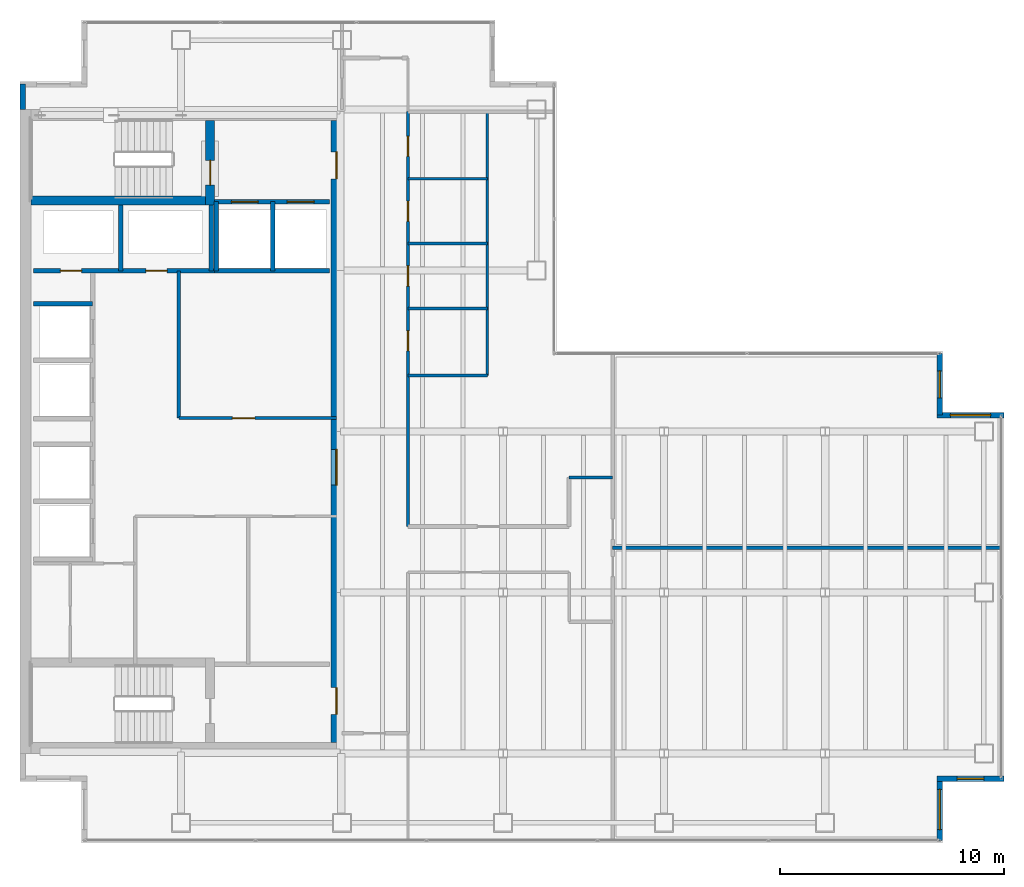
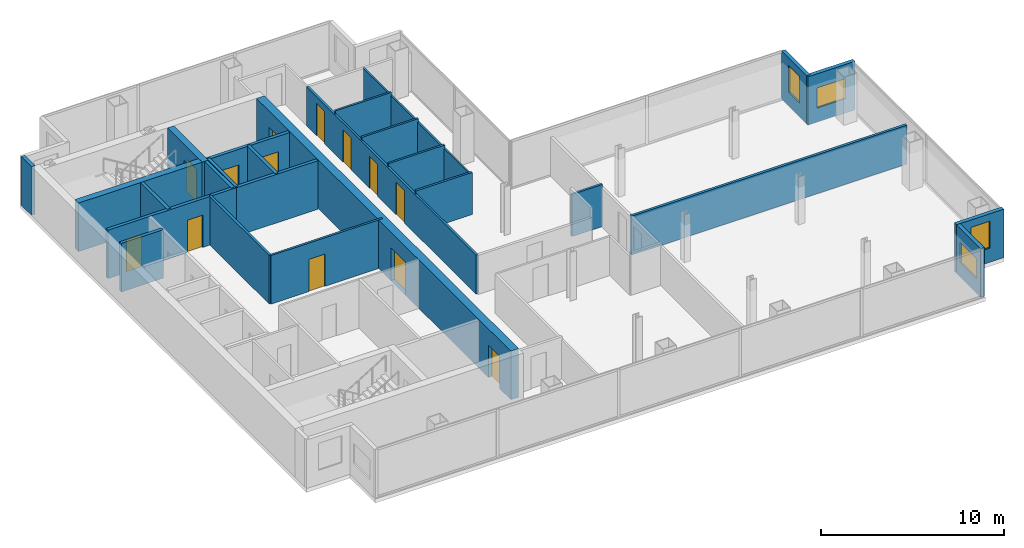
# One storey, part 21 of 23: 26 walls, 13 doors, 4 windows, 17 openings.
"""IFC4 building model written with IfcOpenShell, lengths in metres."""

from ifc_helpers import new_model, si_unit, direction, frame, frame_2d, origin, place, context, subcontext, project, spatial, rectangle, extrude, material, layer, layer_set, type_object, element, fill, save


model = new_model("IFC4")

# Units and contexts
model_context = context("Model", 3, precision=1e-05, world=origin(), true_north=direction((0.0, 1.0)))
body_context = subcontext(model_context, "Body", "Model", "MODEL_VIEW")
ifc_project = project(units=[si_unit("LENGTHUNIT", "METRE"), si_unit("AREAUNIT", "SQUARE_METRE"), si_unit("VOLUMEUNIT", "CUBIC_METRE"), si_unit("PLANEANGLEUNIT", "RADIAN"), si_unit("MASSUNIT", "GRAM", prefix="KILO")], contexts=[model_context])

# Site, building, storey
site_placement = place(None, origin())
site = spatial("IfcSite", under=ifc_project, at=site_placement, CompositionType="ELEMENT")
building_placement = place(site_placement, origin())
building = spatial("IfcBuilding", under=site, at=building_placement, Name="Cobrela Telecom Tower", CompositionType="ELEMENT")
storey_placement = place(building_placement, frame((0.0, 0.0, 176.75)))
storey = spatial("IfcBuildingStorey", under=building, at=storey_placement, Name="L44", CompositionType="ELEMENT", Elevation=176.75)

# Wall, openings, doors
ifc_material_1 = material(Name="Concrete C40/50", Category="concrete")
ifc_layer_1 = layer(ifc_material_1, 0.5)
ifc_layer_set_1 = layer_set([ifc_layer_1], Name="Concrete C40/50")
wall_type_1 = type_object("IfcWallType", Name="WALL-CORE-C40-500", PredefinedType="SHEAR", material=ifc_layer_set_1)
wall_1_placement = place(storey_placement, frame((14.14990234375, 35.5, 0.0), z_axis=(0.0, 0.0, 1.0), x_axis=(0.0, -1.0, 0.0)))
wall_1 = element("IfcWall", 1, at=wall_1_placement, inside=storey, type_object=wall_type_1, Name="L44 East Core Shear Wall", PredefinedType="SHEAR", context=body_context, shape_type="SweptSolid", body=[
    extrude(rectangle(XDim=27.800048828125, YDim=0.5, at=frame_2d((13.89990234375, 0.0))), origin(), (0.0, 0.0, 1.0), 3.239990234375),
])
opening_1_placement = place(wall_1_placement, frame((1.39990234375, 0.0, 0.0)))
opening_1 = element("IfcOpeningElement", 2, at=opening_1_placement, cuts=wall_1, Name="Opening DR-19", PredefinedType="OPENING", context=body_context, shape_type="SweptSolid", body=[
    extrude(rectangle(XDim=1.199951171875, YDim=2.14990234375, at=frame_2d((0.60009765625, 1.074951171875))), frame((0.0, 0.261962890625, 0.0), z_axis=(0.0, -1.0, 0.0), x_axis=(1.0, 0.0, 0.0)), (0.0, 0.0, 1.0), 0.52392578125),
])
opening_2_placement = place(wall_1_placement, frame((25.35009765625, 0.0, 0.0)))
opening_2 = element("IfcOpeningElement", 3, at=opening_2_placement, cuts=wall_1, Name="Opening DR-19", PredefinedType="OPENING", context=body_context, shape_type="SweptSolid", body=[
    extrude(rectangle(XDim=1.199951171875, YDim=2.14990234375, at=frame_2d((0.60009765625, 1.074951171875))), frame((0.0, 0.261962890625, 0.0), z_axis=(0.0, -1.0, 0.0), x_axis=(1.0, 0.0, 0.0)), (0.0, 0.0, 1.0), 0.52392578125),
])
opening_3_placement = place(wall_1_placement, frame((14.699951171875, 0.0, 0.0)))
opening_3 = element("IfcOpeningElement", 4, at=opening_3_placement, cuts=wall_1, Name="Opening DR-51", PredefinedType="OPENING", context=body_context, shape_type="SweptSolid", body=[
    extrude(rectangle(XDim=1.60009765625, YDim=2.199951171875, at=frame_2d((0.800048828125, 1.10009765625))), frame((0.0, 0.261962890625, 0.0), z_axis=(0.0, -1.0, 0.0), x_axis=(1.0, 0.0, 0.0)), (0.0, 0.0, 1.0), 0.52392578125),
])
ifc_material_2 = material(Name="Steel ASTM A36", Category="steel")
door_type_1 = type_object("IfcDoorType", Name="DOOR-FD60-1200", OperationType="SINGLE_SWING_LEFT", PredefinedType="DOOR", material=ifc_material_2)
door_1_placement = place(opening_1_placement, origin())
door_1 = element("IfcDoor", 5, at=door_1_placement, inside=storey, type_object=door_type_1, Name="L44 Door DR-19", OperationType="SINGLE_SWING_LEFT", OverallHeight=2.14990234375, OverallWidth=1.199951171875, PredefinedType="DOOR", context=body_context, shape_type="SweptSolid", body=[
    extrude(rectangle(XDim=1.199951171875, YDim=2.14990234375, at=frame_2d((0.60009765625, 1.074951171875))), frame((0.0, 0.02490234375, 0.0), z_axis=(0.0, -1.0, 0.0), x_axis=(1.0, 0.0, 0.0)), (0.0, 0.0, 1.0), 0.050048828125),
])
fill(opening_1, door_1)
door_2_placement = place(opening_2_placement, origin())
door_2 = element("IfcDoor", 6, at=door_2_placement, inside=storey, type_object=door_type_1, Name="L44 Door DR-19", OperationType="SINGLE_SWING_RIGHT", OverallHeight=2.14990234375, OverallWidth=1.199951171875, PredefinedType="DOOR", context=body_context, shape_type="SweptSolid", body=[
    extrude(rectangle(XDim=1.199951171875, YDim=2.14990234375, at=frame_2d((0.60009765625, 1.074951171875))), frame((0.0, 0.02490234375, 0.0), z_axis=(0.0, -1.0, 0.0), x_axis=(1.0, 0.0, 0.0)), (0.0, 0.0, 1.0), 0.050048828125),
])
fill(opening_2, door_2)
door_type_2 = type_object("IfcDoorType", Name="DOOR-FD60-1600", OperationType="SINGLE_SWING_LEFT", PredefinedType="DOOR", material=ifc_material_2)
door_3_placement = place(opening_3_placement, origin())
door_3 = element("IfcDoor", 7, at=door_3_placement, inside=storey, type_object=door_type_2, Name="L44 Door DR-51", OperationType="DOUBLE_DOOR_SINGLE_SWING", OverallHeight=2.199951171875, OverallWidth=1.60009765625, PredefinedType="DOOR", context=body_context, shape_type="SweptSolid", body=[
    extrude(rectangle(XDim=1.60009765625, YDim=2.199951171875, at=frame_2d((0.800048828125, 1.10009765625))), frame((0.0, 0.02490234375, 0.0), z_axis=(0.0, -1.0, 0.0), x_axis=(1.0, 0.0, 0.0)), (0.0, 0.0, 1.0), 0.050048828125),
])
fill(opening_3, door_3)

# Wall
ifc_layer_2 = layer(ifc_material_1, 0.239990234375)
ifc_layer_set_2 = layer_set([ifc_layer_2], Name="Concrete C40/50")
wall_type_2 = type_object("IfcWallType", Name="WALL-EXT-300", PredefinedType="STANDARD", material=ifc_layer_set_2)
wall_2_placement = place(storey_placement, frame((0.1201171875, 36.0, 0.0), z_axis=(0.0, 0.0, 1.0), x_axis=(0.0, 1.0, 0.0)))
element("IfcWall", 8, at=wall_2_placement, inside=storey, type_object=wall_type_2, Name="L44 Insulated Facade Wall 04", PredefinedType="STANDARD", context=body_context, shape_type="SweptSolid", body=[
    extrude(rectangle(XDim=1.1298828125, YDim=0.239990234375, at=frame_2d((0.56494140625, 0.0))), origin(), (0.0, 0.0, 1.0), 3.239990234375),
])

# Wall, opening, window
wall_3_placement = place(storey_placement, frame((41.1298828125, 25.080078125, 0.0), z_axis=(0.0, 0.0, 1.0), x_axis=(0.0, -1.0, 0.0)))
wall_3 = element("IfcWall", 9, at=wall_3_placement, inside=storey, type_object=wall_type_2, Name="L44 Insulated Facade Wall 12", PredefinedType="STANDARD", context=body_context, shape_type="SweptSolid", body=[
    extrude(rectangle(XDim=2.75, YDim=0.239990234375, at=frame_2d((1.375, 0.0))), origin(), (0.0, 0.0, 1.0), 3.239990234375),
])
opening_4_placement = place(wall_3_placement, frame((0.77490234375, 0.0, 0.949951171875)))
opening_4 = element("IfcOpeningElement", 10, at=opening_4_placement, cuts=wall_3, Name="Opening WN-19", PredefinedType="OPENING", context=body_context, shape_type="SweptSolid", body=[
    extrude(rectangle(XDim=1.199951171875, YDim=1.800048828125, at=frame_2d((0.60009765625, 0.89990234375))), frame((0.0, 0.1318359375, 0.0), z_axis=(0.0, -1.0, 0.0), x_axis=(1.0, 0.0, 0.0)), (0.0, 0.0, 1.0), 0.263916015625),
])
ifc_material_3 = material(Name="Solar-Control Bronze Low-E Glass", Category="glass")
window_type_1 = type_object("IfcWindowType", Name="WIN-MOD-1200", PartitioningType="SINGLE_PANEL", PredefinedType="WINDOW", material=ifc_material_3)
window_1_placement = place(opening_4_placement, origin())
window_1 = element("IfcWindow", 11, at=window_1_placement, inside=storey, type_object=window_type_1, Name="L44 Corner Notch Facade Window 215", OverallHeight=1.800048828125, OverallWidth=1.199951171875, PartitioningType="SINGLE_PANEL", PredefinedType="WINDOW", context=body_context, shape_type="SweptSolid", body=[
    extrude(rectangle(XDim=1.199951171875, YDim=1.800048828125, at=frame_2d((0.60009765625, 0.89990234375))), frame((0.0, 0.030029296875, 0.0), z_axis=(0.0, -1.0, 0.0), x_axis=(1.0, 0.0, 0.0)), (0.0, 0.0, 1.0), 0.06005859375),
])
fill(opening_4, window_1)

wall_4_placement = place(storey_placement, frame((41.010009765625, 22.330078125, 0.0), z_axis=(0.0, 0.0, 1.0), x_axis=(1.0, 0.0, 0.0)))
wall_4 = element("IfcWall", 12, at=wall_4_placement, inside=storey, type_object=wall_type_2, Name="L44 Insulated Facade Wall 13", PredefinedType="STANDARD", context=body_context, shape_type="SweptSolid", body=[
    extrude(rectangle(XDim=2.989990234375, YDim=0.239990234375, at=frame_2d((1.4951171875, 0.0))), origin(), (0.0, 0.0, 1.0), 3.239990234375),
])
opening_5_placement = place(wall_4_placement, frame((0.594970703125, 0.0, 0.949951171875)))
opening_5 = element("IfcOpeningElement", 13, at=opening_5_placement, cuts=wall_4, Name="Opening WN-27", PredefinedType="OPENING", context=body_context, shape_type="SweptSolid", body=[
    extrude(rectangle(XDim=1.800048828125, YDim=1.35009765625, at=frame_2d((0.89990234375, 0.675048828125))), frame((0.0, 0.1318359375, 0.0), z_axis=(0.0, -1.0, 0.0), x_axis=(1.0, 0.0, 0.0)), (0.0, 0.0, 1.0), 0.263916015625),
])
window_type_2 = type_object("IfcWindowType", Name="WIN-CLER-1800", PartitioningType="SINGLE_PANEL", PredefinedType="WINDOW", material=ifc_material_3)
window_2_placement = place(opening_5_placement, origin())
window_2 = element("IfcWindow", 14, at=window_2_placement, inside=storey, type_object=window_type_2, Name="L44 Corner Notch Facade Window 216", OverallHeight=1.35009765625, OverallWidth=1.800048828125, PartitioningType="SINGLE_PANEL", PredefinedType="WINDOW", context=body_context, shape_type="SweptSolid", body=[
    extrude(rectangle(XDim=1.800048828125, YDim=1.35009765625, at=frame_2d((0.89990234375, 0.675048828125))), frame((0.0, 0.030029296875, 0.0), z_axis=(0.0, -1.0, 0.0), x_axis=(1.0, 0.0, 0.0)), (0.0, 0.0, 1.0), 0.06005859375),
])
fill(opening_5, window_2)

wall_5_placement = place(storey_placement, frame((44.0, 6.070068359375, 0.0), z_axis=(0.0, 0.0, 1.0), x_axis=(-1.0, 0.0, 0.0)))
wall_5 = element("IfcWall", 15, at=wall_5_placement, inside=storey, type_object=wall_type_2, Name="L44 Insulated Facade Wall 15", PredefinedType="STANDARD", context=body_context, shape_type="SweptSolid", body=[
    extrude(rectangle(XDim=2.989990234375, YDim=0.239990234375, at=frame_2d((1.4951171875, 0.0))), origin(), (0.0, 0.0, 1.0), 3.239990234375),
])
opening_6_placement = place(wall_5_placement, frame((0.89501953125, 0.0, 0.949951171875)))
opening_6 = element("IfcOpeningElement", 16, at=opening_6_placement, cuts=wall_5, Name="Opening WN-19", PredefinedType="OPENING", context=body_context, shape_type="SweptSolid", body=[
    extrude(rectangle(XDim=1.199951171875, YDim=1.800048828125, at=frame_2d((0.60009765625, 0.89990234375))), frame((0.0, 0.1318359375, 0.0), z_axis=(0.0, -1.0, 0.0), x_axis=(1.0, 0.0, 0.0)), (0.0, 0.0, 1.0), 0.263916015625),
])
window_3_placement = place(opening_6_placement, origin())
window_3 = element("IfcWindow", 17, at=window_3_placement, inside=storey, type_object=window_type_1, Name="L44 Corner Notch Facade Window 217", OverallHeight=1.800048828125, OverallWidth=1.199951171875, PartitioningType="SINGLE_PANEL", PredefinedType="WINDOW", context=body_context, shape_type="SweptSolid", body=[
    extrude(rectangle(XDim=1.199951171875, YDim=1.800048828125, at=frame_2d((0.60009765625, 0.89990234375))), frame((0.0, 0.030029296875, 0.0), z_axis=(0.0, -1.0, 0.0), x_axis=(1.0, 0.0, 0.0)), (0.0, 0.0, 1.0), 0.06005859375),
])
fill(opening_6, window_3)

wall_6_placement = place(storey_placement, frame((41.1298828125, 6.070068359375, 0.0), z_axis=(0.0, 0.0, 1.0), x_axis=(0.0, -1.0, 0.0)))
wall_6 = element("IfcWall", 18, at=wall_6_placement, inside=storey, type_object=wall_type_2, Name="L44 Insulated Facade Wall 16", PredefinedType="STANDARD", context=body_context, shape_type="SweptSolid", body=[
    extrude(rectangle(XDim=2.75, YDim=0.239990234375, at=frame_2d((1.375, 0.0))), origin(), (0.0, 0.0, 1.0), 3.239990234375),
])
opening_7_placement = place(wall_6_placement, frame((0.47509765625, 0.0, 0.949951171875)))
opening_7 = element("IfcOpeningElement", 19, at=opening_7_placement, cuts=wall_6, Name="Opening WN-27", PredefinedType="OPENING", context=body_context, shape_type="SweptSolid", body=[
    extrude(rectangle(XDim=1.800048828125, YDim=1.35009765625, at=frame_2d((0.89990234375, 0.675048828125))), frame((0.0, 0.1318359375, 0.0), z_axis=(0.0, -1.0, 0.0), x_axis=(1.0, 0.0, 0.0)), (0.0, 0.0, 1.0), 0.263916015625),
])
window_4_placement = place(opening_7_placement, origin())
window_4 = element("IfcWindow", 20, at=window_4_placement, inside=storey, type_object=window_type_2, Name="L44 Corner Notch Facade Window 218", OverallHeight=1.35009765625, OverallWidth=1.800048828125, PartitioningType="SINGLE_PANEL", PredefinedType="WINDOW", context=body_context, shape_type="SweptSolid", body=[
    extrude(rectangle(XDim=1.800048828125, YDim=1.35009765625, at=frame_2d((0.89990234375, 0.675048828125))), frame((0.0, 0.030029296875, 0.0), z_axis=(0.0, -1.0, 0.0), x_axis=(1.0, 0.0, 0.0)), (0.0, 0.0, 1.0), 0.06005859375),
])
fill(opening_7, window_4)

# Walls
ifc_material_4 = material(Name="Fire-Rated Gypsum Plasterboard")
ifc_layer_3 = layer(ifc_material_4, 0.110107421875)
ifc_layer_set_3 = layer_set([ifc_layer_3], Name="Fire-Rated Gypsum Plasterboard")
wall_type_3 = type_object("IfcWallType", Name="WALL-PART-110", PredefinedType="PARTITIONING", material=ifc_layer_set_3)
wall_7_placement = place(storey_placement, frame((20.89990234375, 24.10009765625, 0.0), z_axis=(0.0, 0.0, 1.0), x_axis=(0.0, 1.0, 0.0)))
element("IfcWall", 21, at=wall_7_placement, inside=storey, type_object=wall_type_3, Name="L44 Interior Partition W-WC-E", PredefinedType="PARTITIONING", context=body_context, shape_type="SweptSolid", body=[
    extrude(rectangle(XDim=11.7998046875, YDim=0.110107421875, at=frame_2d((5.89990234375, 0.0))), origin(), (0.0, 0.0, 1.0), 2.60302734375),
])
ifc_layer_4 = layer(ifc_material_4, 0.125)
ifc_layer_set_4 = layer_set([ifc_layer_4], Name="Fire-Rated Gypsum Plasterboard")
wall_type_4 = type_object("IfcWallType", Name="WALL-PART-125", PredefinedType="PARTITIONING", material=ifc_layer_set_4)
for number, where, z_axis, x_axis, name in (
    (22, (17.35009765625, 27.10009765625, 0.0), (0.0, 0.0, 1.0), (1.0, 0.0, 0.0), "L44 Interior Partition W-WCD-1"),
    (23, (17.35009765625, 30.0, 0.0), (0.0, 0.0, 1.0), (1.0, 0.0, 0.0), "L44 Interior Partition W-WCD-2"),
    (24, (17.35009765625, 32.89990234375, 0.0), (0.0, 0.0, 1.0), (1.0, 0.0, 0.0), "L44 Interior Partition W-WCD-3"),
):
    element("IfcWall", number, at=place(storey_placement, frame(where, z_axis=z_axis, x_axis=x_axis)), inside=storey, type_object=wall_type_4, Name=name, PredefinedType="PARTITIONING", context=body_context, shape_type="SweptSolid", body=[
        extrude(rectangle(XDim=3.5498046875, YDim=0.125, at=frame_2d((1.77490234375, 0.0))), origin(), (0.0, 0.0, 1.0), 2.80810546875),
    ])

# Wall, opening, door
ifc_layer_5 = layer(ifc_material_4, 0.135009765625)
ifc_layer_set_5 = layer_set([ifc_layer_5], Name="Fire-Rated Gypsum Plasterboard")
wall_type_5 = type_object("IfcWallType", Name="WALL-PART-135", PredefinedType="PARTITIONING", material=ifc_layer_set_5)
wall_8_placement = place(storey_placement, frame((7.10009765625, 22.199951171875, 0.0), z_axis=(0.0, 0.0, 1.0), x_axis=(1.0, 0.0, 0.0)))
wall_8 = element("IfcWall", 25, at=wall_8_placement, inside=storey, type_object=wall_type_5, Name="L44 Interior Partition CW-RECL-S", PredefinedType="PARTITIONING", context=body_context, shape_type="SweptSolid", body=[
    extrude(rectangle(XDim=7.0498046875, YDim=0.135009765625, at=frame_2d((3.52490234375, 0.0))), origin(), (0.0, 0.0, 1.0), 3.239990234375),
])
opening_8_placement = place(wall_8_placement, frame((2.39990234375, 0.0, 0.0)))
opening_8 = element("IfcOpeningElement", 26, at=opening_8_placement, cuts=wall_8, Name="Opening DR-31", PredefinedType="OPENING", context=body_context, shape_type="SweptSolid", body=[
    extrude(rectangle(XDim=1.0, YDim=2.14990234375, at=frame_2d((0.5, 1.074951171875))), frame((0.0, 0.07958984375, 0.0), z_axis=(0.0, -1.0, 0.0), x_axis=(1.0, 0.0, 0.0)), (0.0, 0.0, 1.0), 0.158935546875),
])
ifc_material_5 = material(Name="Solid Engineered Oak Timber", Category="wood")
door_type_3 = type_object("IfcDoorType", Name="DOOR-INT-1000", OperationType="SINGLE_SWING_LEFT", PredefinedType="DOOR", material=ifc_material_5)
door_4_placement = place(opening_8_placement, origin())
door_4 = element("IfcDoor", 27, at=door_4_placement, inside=storey, type_object=door_type_3, Name="L44 Door DR-31", OperationType="SINGLE_SWING_LEFT", OverallHeight=2.14990234375, OverallWidth=1.0, PredefinedType="DOOR", context=body_context, shape_type="SweptSolid", body=[
    extrude(rectangle(XDim=1.0, YDim=2.14990234375, at=frame_2d((0.5, 1.074951171875))), frame((0.0, 0.02490234375, 0.0), z_axis=(0.0, -1.0, 0.0), x_axis=(1.0, 0.0, 0.0)), (0.0, 0.0, 1.0), 0.050048828125),
])
fill(opening_8, door_4)

# Wall, openings, doors
wall_9_placement = place(storey_placement, frame((17.35009765625, 17.35009765625, 0.0), z_axis=(0.0, 0.0, 1.0), x_axis=(0.0, 1.0, 0.0)))
wall_9 = element("IfcWall", 28, at=wall_9_placement, inside=storey, type_object=wall_type_5, Name="L44 Interior Partition W-C-E2", PredefinedType="PARTITIONING", context=body_context, shape_type="SweptSolid", body=[
    extrude(rectangle(XDim=18.5498046875, YDim=0.135009765625, at=frame_2d((9.27490234375, 0.0))), origin(), (0.0, 0.0, 1.0), 2.60302734375),
])
opening_9_placement = place(wall_9_placement, frame((7.85009765625, 0.0, 0.0)))
opening_9 = element("IfcOpeningElement", 29, at=opening_9_placement, cuts=wall_9, Name="Opening DR-41", PredefinedType="OPENING", context=body_context, shape_type="SweptSolid", body=[
    extrude(rectangle(XDim=0.89990234375, YDim=2.14990234375, at=frame_2d((0.449951171875, 1.074951171875))), frame((0.0, 0.07958984375, 0.0), z_axis=(0.0, -1.0, 0.0), x_axis=(1.0, 0.0, 0.0)), (0.0, 0.0, 1.0), 0.158935546875),
])
opening_10_placement = place(wall_9_placement, frame((10.75, 0.0, 0.0)))
opening_10 = element("IfcOpeningElement", 30, at=opening_10_placement, cuts=wall_9, Name="Opening DR-41", PredefinedType="OPENING", context=body_context, shape_type="SweptSolid", body=[
    extrude(rectangle(XDim=0.89990234375, YDim=2.14990234375, at=frame_2d((0.449951171875, 1.074951171875))), frame((0.0, 0.07958984375, 0.0), z_axis=(0.0, -1.0, 0.0), x_axis=(1.0, 0.0, 0.0)), (0.0, 0.0, 1.0), 0.158935546875),
])
opening_11_placement = place(wall_9_placement, frame((13.64990234375, 0.0, 0.0)))
opening_11 = element("IfcOpeningElement", 31, at=opening_11_placement, cuts=wall_9, Name="Opening DR-41", PredefinedType="OPENING", context=body_context, shape_type="SweptSolid", body=[
    extrude(rectangle(XDim=0.89990234375, YDim=2.14990234375, at=frame_2d((0.449951171875, 1.074951171875))), frame((0.0, 0.07958984375, 0.0), z_axis=(0.0, -1.0, 0.0), x_axis=(1.0, 0.0, 0.0)), (0.0, 0.0, 1.0), 0.158935546875),
])
opening_12_placement = place(wall_9_placement, frame((16.550048828125, 0.0, 0.0)))
opening_12 = element("IfcOpeningElement", 32, at=opening_12_placement, cuts=wall_9, Name="Opening DR-41", PredefinedType="OPENING", context=body_context, shape_type="SweptSolid", body=[
    extrude(rectangle(XDim=0.89990234375, YDim=2.14990234375, at=frame_2d((0.449951171875, 1.074951171875))), frame((0.0, 0.07958984375, 0.0), z_axis=(0.0, -1.0, 0.0), x_axis=(1.0, 0.0, 0.0)), (0.0, 0.0, 1.0), 0.158935546875),
])
door_type_4 = type_object("IfcDoorType", Name="DOOR-INT-900", OperationType="SINGLE_SWING_LEFT", PredefinedType="DOOR", material=ifc_material_5)
door_5_placement = place(opening_9_placement, origin())
door_5 = element("IfcDoor", 33, at=door_5_placement, inside=storey, type_object=door_type_4, Name="L44 Door DR-41", OperationType="SINGLE_SWING_LEFT", OverallHeight=2.14990234375, OverallWidth=0.89990234375, PredefinedType="DOOR", context=body_context, shape_type="SweptSolid", body=[
    extrude(rectangle(XDim=0.89990234375, YDim=2.14990234375, at=frame_2d((0.449951171875, 1.074951171875))), frame((0.0, 0.02490234375, 0.0), z_axis=(0.0, -1.0, 0.0), x_axis=(1.0, 0.0, 0.0)), (0.0, 0.0, 1.0), 0.050048828125),
])
fill(opening_9, door_5)
door_6_placement = place(opening_10_placement, origin())
door_6 = element("IfcDoor", 34, at=door_6_placement, inside=storey, type_object=door_type_4, Name="L44 Door DR-41", OperationType="SINGLE_SWING_RIGHT", OverallHeight=2.14990234375, OverallWidth=0.89990234375, PredefinedType="DOOR", context=body_context, shape_type="SweptSolid", body=[
    extrude(rectangle(XDim=0.89990234375, YDim=2.14990234375, at=frame_2d((0.449951171875, 1.074951171875))), frame((0.0, 0.02490234375, 0.0), z_axis=(0.0, -1.0, 0.0), x_axis=(1.0, 0.0, 0.0)), (0.0, 0.0, 1.0), 0.050048828125),
])
fill(opening_10, door_6)
door_7_placement = place(opening_11_placement, origin())
door_7 = element("IfcDoor", 35, at=door_7_placement, inside=storey, type_object=door_type_4, Name="L44 Door DR-41", OperationType="SINGLE_SWING_LEFT", OverallHeight=2.14990234375, OverallWidth=0.89990234375, PredefinedType="DOOR", context=body_context, shape_type="SweptSolid", body=[
    extrude(rectangle(XDim=0.89990234375, YDim=2.14990234375, at=frame_2d((0.449951171875, 1.074951171875))), frame((0.0, 0.02490234375, 0.0), z_axis=(0.0, -1.0, 0.0), x_axis=(1.0, 0.0, 0.0)), (0.0, 0.0, 1.0), 0.050048828125),
])
fill(opening_11, door_7)
door_8_placement = place(opening_12_placement, origin())
door_8 = element("IfcDoor", 36, at=door_8_placement, inside=storey, type_object=door_type_4, Name="L44 Door DR-41", OperationType="SINGLE_SWING_RIGHT", OverallHeight=2.14990234375, OverallWidth=0.89990234375, PredefinedType="DOOR", context=body_context, shape_type="SweptSolid", body=[
    extrude(rectangle(XDim=0.89990234375, YDim=2.14990234375, at=frame_2d((0.449951171875, 1.074951171875))), frame((0.0, 0.02490234375, 0.0), z_axis=(0.0, -1.0, 0.0), x_axis=(1.0, 0.0, 0.0)), (0.0, 0.0, 1.0), 0.050048828125),
])
fill(opening_12, door_8)

# Walls
wall_10_placement = place(storey_placement, frame((24.550048828125, 19.550048828125, 0.0), z_axis=(0.0, 0.0, 1.0), x_axis=(1.0, 0.0, 0.0)))
element("IfcWall", 37, at=wall_10_placement, inside=storey, type_object=wall_type_5, Name="L44 Interior Partition W-CT-N", PredefinedType="PARTITIONING", context=body_context, shape_type="SweptSolid", body=[
    extrude(rectangle(XDim=1.949951171875, YDim=0.135009765625, at=frame_2d((0.97509765625, 0.0))), origin(), (0.0, 0.0, 1.0), 2.80810546875),
])
wall_11_placement = place(storey_placement, frame((17.35009765625, 24.10009765625, 0.0), z_axis=(0.0, 0.0, 1.0), x_axis=(1.0, 0.0, 0.0)))
element("IfcWall", 38, at=wall_11_placement, inside=storey, type_object=wall_type_5, Name="L44 Interior Partition W-WC-S", PredefinedType="PARTITIONING", context=body_context, shape_type="SweptSolid", body=[
    extrude(rectangle(XDim=3.5498046875, YDim=0.135009765625, at=frame_2d((1.77490234375, 0.0))), origin(), (0.0, 0.0, 1.0), 2.80810546875),
])
ifc_layer_6 = layer(ifc_material_4, 0.14990234375)
ifc_layer_set_6 = layer_set([ifc_layer_6], Name="Fire-Rated Gypsum Plasterboard")
wall_type_6 = type_object("IfcWallType", Name="WALL-PART-150", PredefinedType="PARTITIONING", material=ifc_layer_set_6)
wall_12_placement = place(storey_placement, frame((7.10009765625, 22.199951171875, 0.0), z_axis=(0.0, 0.0, 1.0), x_axis=(0.0, 1.0, 0.0)))
element("IfcWall", 39, at=wall_12_placement, inside=storey, type_object=wall_type_6, Name="L44 Interior Partition CW-RECL-W", PredefinedType="PARTITIONING", context=body_context, shape_type="SweptSolid", body=[
    extrude(rectangle(XDim=6.580078125, YDim=0.14990234375, at=frame_2d((3.2900390625, 0.0))), origin(), (0.0, 0.0, 1.0), 3.239990234375),
])
ifc_layer_7 = layer(ifc_material_4, 0.159912109375)
ifc_layer_set_7 = layer_set([ifc_layer_7], Name="Fire-Rated Gypsum Plasterboard")
wall_type_7 = type_object("IfcWallType", Name="WALL-PART-160", PredefinedType="PARTITIONING", material=ifc_layer_set_7)
wall_13_placement = place(storey_placement, frame((26.5, 16.39990234375, 0.0), z_axis=(0.0, 0.0, 1.0), x_axis=(1.0, 0.0, 0.0)))
element("IfcWall", 40, at=wall_13_placement, inside=storey, type_object=wall_type_7, Name="L44 Interior Partition W-FE-H", PredefinedType="PARTITIONING", context=body_context, shape_type="SweptSolid", body=[
    extrude(rectangle(XDim=17.3798828125, YDim=0.159912109375, at=frame_2d((8.68994140625, 0.0))), origin(), (0.0, 0.0, 1.0), 2.60302734375),
])

# Wall, openings, doors
ifc_layer_8 = layer(ifc_material_4, 0.199951171875)
ifc_layer_set_8 = layer_set([ifc_layer_8], Name="Fire-Rated Gypsum Plasterboard")
wall_type_8 = type_object("IfcWallType", Name="WALL-SHAFT-200", PredefinedType="PARTITIONING", material=ifc_layer_set_8)
wall_14_placement = place(storey_placement, frame((8.699951171875, 31.8798828125, 0.0), z_axis=(0.0, 0.0, 1.0), x_axis=(1.0, 0.0, 0.0)))
wall_14 = element("IfcWall", 41, at=wall_14_placement, inside=storey, type_object=wall_type_8, Name="L44 Shaft Enclosure CW-FFL-S", PredefinedType="PARTITIONING", context=body_context, shape_type="SweptSolid", body=[
    extrude(rectangle(XDim=5.150146484375, YDim=0.199951171875, at=frame_2d((2.5751953125, 0.0))), origin(), (0.0, 0.0, 1.0), 3.239990234375),
])
opening_13_placement = place(wall_14_placement, frame((0.75, 0.0, 0.0)))
opening_13 = element("IfcOpeningElement", 42, at=opening_13_placement, cuts=wall_14, Name="Opening LD-2", PredefinedType="OPENING", context=body_context, shape_type="SweptSolid", body=[
    extrude(rectangle(XDim=1.199951171875, YDim=2.199951171875, at=frame_2d((0.60009765625, 1.10009765625))), frame((0.0, 0.11181640625, 0.0), z_axis=(0.0, -1.0, 0.0), x_axis=(1.0, 0.0, 0.0)), (0.0, 0.0, 1.0), 0.223876953125),
])
opening_14_placement = place(wall_14_placement, frame((3.25, 0.0, 0.0)))
opening_14 = element("IfcOpeningElement", 43, at=opening_14_placement, cuts=wall_14, Name="Opening LD-2", PredefinedType="OPENING", context=body_context, shape_type="SweptSolid", body=[
    extrude(rectangle(XDim=1.199951171875, YDim=2.199951171875, at=frame_2d((0.60009765625, 1.10009765625))), frame((0.0, 0.11181640625, 0.0), z_axis=(0.0, -1.0, 0.0), x_axis=(1.0, 0.0, 0.0)), (0.0, 0.0, 1.0), 0.223876953125),
])
door_type_5 = type_object("IfcDoorType", Name="DOOR-LD-FFL", OperationType="SINGLE_SWING_LEFT", PredefinedType="DOOR", material=ifc_material_2)
door_9_placement = place(opening_13_placement, origin())
door_9 = element("IfcDoor", 44, at=door_9_placement, inside=storey, type_object=door_type_5, Name="L44 Lift Landing Door LD-2", OperationType="DOUBLE_DOOR_SLIDING", OverallHeight=2.199951171875, OverallWidth=1.199951171875, PredefinedType="DOOR", context=body_context, shape_type="SweptSolid", body=[
    extrude(rectangle(XDim=1.199951171875, YDim=2.199951171875, at=frame_2d((0.60009765625, 1.10009765625))), frame((0.0, 0.02490234375, 0.0), z_axis=(0.0, -1.0, 0.0), x_axis=(1.0, 0.0, 0.0)), (0.0, 0.0, 1.0), 0.050048828125),
])
fill(opening_13, door_9)
door_10_placement = place(opening_14_placement, origin())
door_10 = element("IfcDoor", 45, at=door_10_placement, inside=storey, type_object=door_type_5, Name="L44 Lift Landing Door LD-2", OperationType="DOUBLE_DOOR_SLIDING", OverallHeight=2.199951171875, OverallWidth=1.199951171875, PredefinedType="DOOR", context=body_context, shape_type="SweptSolid", body=[
    extrude(rectangle(XDim=1.199951171875, YDim=2.199951171875, at=frame_2d((0.60009765625, 1.10009765625))), frame((0.0, 0.02490234375, 0.0), z_axis=(0.0, -1.0, 0.0), x_axis=(1.0, 0.0, 0.0)), (0.0, 0.0, 1.0), 0.050048828125),
])
fill(opening_14, door_10)

# Walls
wall_15_placement = place(storey_placement, frame((8.699951171875, 28.780029296875, 0.0), z_axis=(0.0, 0.0, 1.0), x_axis=(1.0, 0.0, 0.0)))
element("IfcWall", 46, at=wall_15_placement, inside=storey, type_object=wall_type_8, Name="L44 Shaft Enclosure CW-FFL-S2", PredefinedType="PARTITIONING", context=body_context, shape_type="SweptSolid", body=[
    extrude(rectangle(XDim=5.150146484375, YDim=0.199951171875, at=frame_2d((2.5751953125, 0.0))), origin(), (0.0, 0.0, 1.0), 3.239990234375),
])
for number, where, z_axis, x_axis, name in (
    (47, (8.780029296875, 28.780029296875, 0.0), (0.0, 0.0, 1.0), (0.0, 1.0, 0.0), "L44 Shaft Enclosure CW-FFL-W"),
    (48, (11.300048828125, 28.780029296875, 0.0), (0.0, 0.0, 1.0), (0.0, 1.0, 0.0), "L44 Shaft Enclosure CW-FFL-M"),
):
    element("IfcWall", number, at=place(storey_placement, frame(where, z_axis=z_axis, x_axis=x_axis)), inside=storey, type_object=wall_type_8, Name=name, PredefinedType="PARTITIONING", context=body_context, shape_type="SweptSolid", body=[
        extrude(rectangle(XDim=3.099853515625, YDim=0.199951171875, at=frame_2d((1.5498046875, 0.0))), origin(), (0.0, 0.0, 1.0), 3.239990234375),
    ])

# Wall, openings, doors
wall_16_placement = place(storey_placement, frame((0.60009765625, 28.780029296875, 0.0), z_axis=(0.0, 0.0, 1.0), x_axis=(1.0, 0.0, 0.0)))
wall_16 = element("IfcWall", 49, at=wall_16_placement, inside=storey, type_object=wall_type_8, Name="L44 Shaft Enclosure CW-RIS-S", PredefinedType="PARTITIONING", context=body_context, shape_type="SweptSolid", body=[
    extrude(rectangle(XDim=8.179931640625, YDim=0.199951171875, at=frame_2d((4.08984375, 0.0))), origin(), (0.0, 0.0, 1.0), 3.239990234375),
])
opening_15_placement = place(wall_16_placement, frame((1.2099609375, 0.0, 0.0)))
opening_15 = element("IfcOpeningElement", 50, at=opening_15_placement, cuts=wall_16, Name="Opening DR-65", PredefinedType="OPENING", context=body_context, shape_type="SweptSolid", body=[
    extrude(rectangle(XDim=0.949951171875, YDim=2.14990234375, at=frame_2d((0.47509765625, 1.074951171875))), frame((0.0, 0.11181640625, 0.0), z_axis=(0.0, -1.0, 0.0), x_axis=(1.0, 0.0, 0.0)), (0.0, 0.0, 1.0), 0.223876953125),
])
opening_16_placement = place(wall_16_placement, frame((5.030029296875, 0.0, 0.0)))
opening_16 = element("IfcOpeningElement", 51, at=opening_16_placement, cuts=wall_16, Name="Opening DR-65", PredefinedType="OPENING", context=body_context, shape_type="SweptSolid", body=[
    extrude(rectangle(XDim=0.949951171875, YDim=2.14990234375, at=frame_2d((0.47509765625, 1.074951171875))), frame((0.0, 0.11181640625, 0.0), z_axis=(0.0, -1.0, 0.0), x_axis=(1.0, 0.0, 0.0)), (0.0, 0.0, 1.0), 0.223876953125),
])
door_type_6 = type_object("IfcDoorType", Name="DOOR-FD60-950", OperationType="SINGLE_SWING_LEFT", PredefinedType="DOOR", material=ifc_material_2)
door_11_placement = place(opening_15_placement, origin())
door_11 = element("IfcDoor", 52, at=door_11_placement, inside=storey, type_object=door_type_6, Name="L44 Door DR-65", OperationType="SINGLE_SWING_LEFT", OverallHeight=2.14990234375, OverallWidth=0.949951171875, PredefinedType="DOOR", context=body_context, shape_type="SweptSolid", body=[
    extrude(rectangle(XDim=0.949951171875, YDim=2.14990234375, at=frame_2d((0.47509765625, 1.074951171875))), frame((0.0, 0.02490234375, 0.0), z_axis=(0.0, -1.0, 0.0), x_axis=(1.0, 0.0, 0.0)), (0.0, 0.0, 1.0), 0.050048828125),
])
fill(opening_15, door_11)
door_12_placement = place(opening_16_placement, origin())
door_12 = element("IfcDoor", 53, at=door_12_placement, inside=storey, type_object=door_type_6, Name="L44 Door DR-65", OperationType="SINGLE_SWING_RIGHT", OverallHeight=2.14990234375, OverallWidth=0.949951171875, PredefinedType="DOOR", context=body_context, shape_type="SweptSolid", body=[
    extrude(rectangle(XDim=0.949951171875, YDim=2.14990234375, at=frame_2d((0.47509765625, 1.074951171875))), frame((0.0, 0.02490234375, 0.0), z_axis=(0.0, -1.0, 0.0), x_axis=(1.0, 0.0, 0.0)), (0.0, 0.0, 1.0), 0.050048828125),
])
fill(opening_16, door_12)

# Walls
for number, where, z_axis, x_axis, name in (
    (54, (4.5, 28.780029296875, 0.0), (0.0, 0.0, 1.0), (0.0, 1.0, 0.0), "L44 Shaft Enclosure CW-RIS-M"),
    (55, (8.550048828125, 28.780029296875, 0.0), (0.0, 0.0, 1.0), (0.0, 1.0, 0.0), "L44 Shaft Enclosure CW-RIS-E"),
):
    element("IfcWall", number, at=place(storey_placement, frame(where, z_axis=z_axis, x_axis=x_axis)), inside=storey, type_object=wall_type_8, Name=name, PredefinedType="PARTITIONING", context=body_context, shape_type="SweptSolid", body=[
        extrude(rectangle(XDim=2.93994140625, YDim=0.199951171875, at=frame_2d((1.469970703125, 0.0))), origin(), (0.0, 0.0, 1.0), 3.239990234375),
    ])
wall_17_placement = place(storey_placement, frame((0.60009765625, 27.320068359375, 0.0), z_axis=(0.0, 0.0, 1.0), x_axis=(1.0, 0.0, 0.0)))
element("IfcWall", 56, at=wall_17_placement, inside=storey, type_object=wall_type_8, Name="L44 Shaft Enclosure CW-PLH-TOP", PredefinedType="PARTITIONING", context=body_context, shape_type="SweptSolid", body=[
    extrude(rectangle(XDim=2.64990234375, YDim=0.199951171875, at=frame_2d((1.324951171875, 0.0))), origin(), (0.0, 0.0, 1.0), 3.239990234375),
])
ifc_layer_9 = layer(ifc_material_1, 0.39990234375)
ifc_layer_set_9 = layer_set([ifc_layer_9], Name="Concrete C40/50")
wall_type_9 = type_object("IfcWallType", Name="WALL-SHAFT-C40-400", PredefinedType="SHEAR", material=ifc_layer_set_9)
wall_18_placement = place(storey_placement, frame((0.5, 31.919921875, 0.0), z_axis=(0.0, 0.0, 1.0), x_axis=(1.0, 0.0, 0.0)))
element("IfcWall", 57, at=wall_18_placement, inside=storey, type_object=wall_type_9, Name="L44 North Stair Shear Wall", PredefinedType="SHEAR", context=body_context, shape_type="SweptSolid", body=[
    extrude(rectangle(XDim=7.800048828125, YDim=0.39990234375, at=frame_2d((3.89990234375, 0.0))), origin(), (0.0, 0.0, 1.0), 3.239990234375),
])

# Wall, opening, door
wall_19_placement = place(storey_placement, frame((8.5, 31.719970703125, 0.0), z_axis=(0.0, 0.0, 1.0), x_axis=(0.0, 1.0, 0.0)))
wall_19 = element("IfcWall", 58, at=wall_19_placement, inside=storey, type_object=wall_type_9, Name="L44 North Stair Lobby Shear Wall", PredefinedType="SHEAR", context=body_context, shape_type="SweptSolid", body=[
    extrude(rectangle(XDim=3.780029296875, YDim=0.39990234375, at=frame_2d((1.89013671875, 0.0))), origin(), (0.0, 0.0, 1.0), 3.239990234375),
])
opening_17_placement = place(wall_19_placement, frame((0.89990234375, 0.0, 0.0)))
opening_17 = element("IfcOpeningElement", 59, at=opening_17_placement, cuts=wall_19, Name="Opening DR-59", PredefinedType="OPENING", context=body_context, shape_type="SweptSolid", body=[
    extrude(rectangle(XDim=1.10009765625, YDim=2.14990234375, at=frame_2d((0.550048828125, 1.074951171875))), frame((0.0, 0.2119140625, 0.0), z_axis=(0.0, -1.0, 0.0), x_axis=(1.0, 0.0, 0.0)), (0.0, 0.0, 1.0), 0.423828125),
])
door_type_7 = type_object("IfcDoorType", Name="DOOR-FD60-1100", OperationType="SINGLE_SWING_LEFT", PredefinedType="DOOR", material=ifc_material_2)
door_13_placement = place(opening_17_placement, origin())
door_13 = element("IfcDoor", 60, at=door_13_placement, inside=storey, type_object=door_type_7, Name="L44 Door DR-59", OperationType="SINGLE_SWING_RIGHT", OverallHeight=2.14990234375, OverallWidth=1.10009765625, PredefinedType="DOOR", context=body_context, shape_type="SweptSolid", body=[
    extrude(rectangle(XDim=1.10009765625, YDim=2.14990234375, at=frame_2d((0.550048828125, 1.074951171875))), frame((0.0, 0.02490234375, 0.0), z_axis=(0.0, -1.0, 0.0), x_axis=(1.0, 0.0, 0.0)), (0.0, 0.0, 1.0), 0.050048828125),
])
fill(opening_17, door_13)

save(model, "model.ifc")
